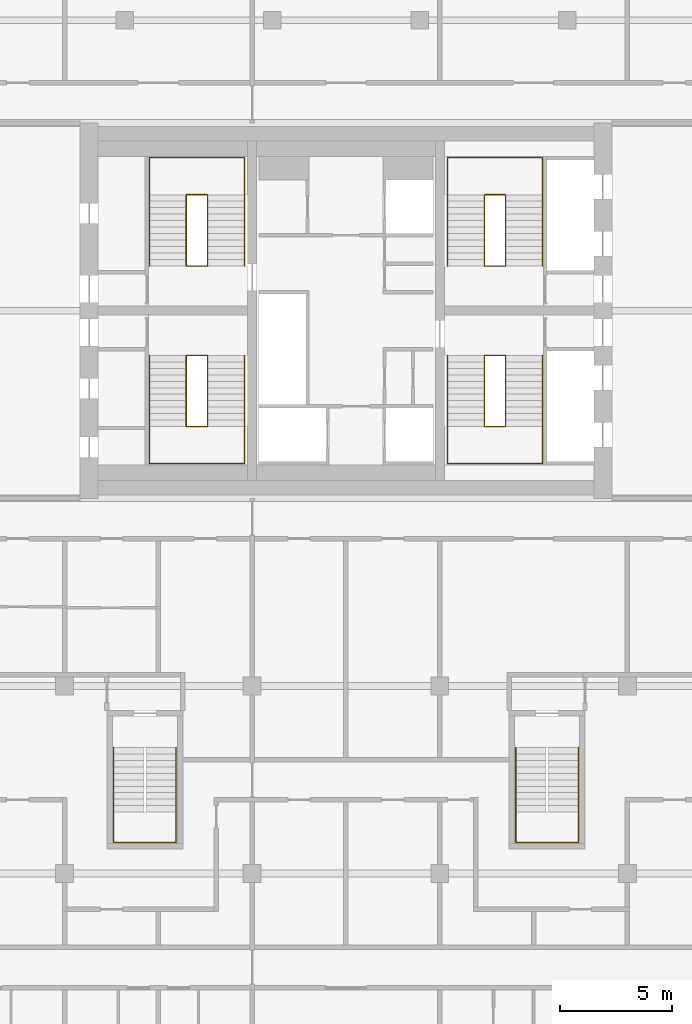
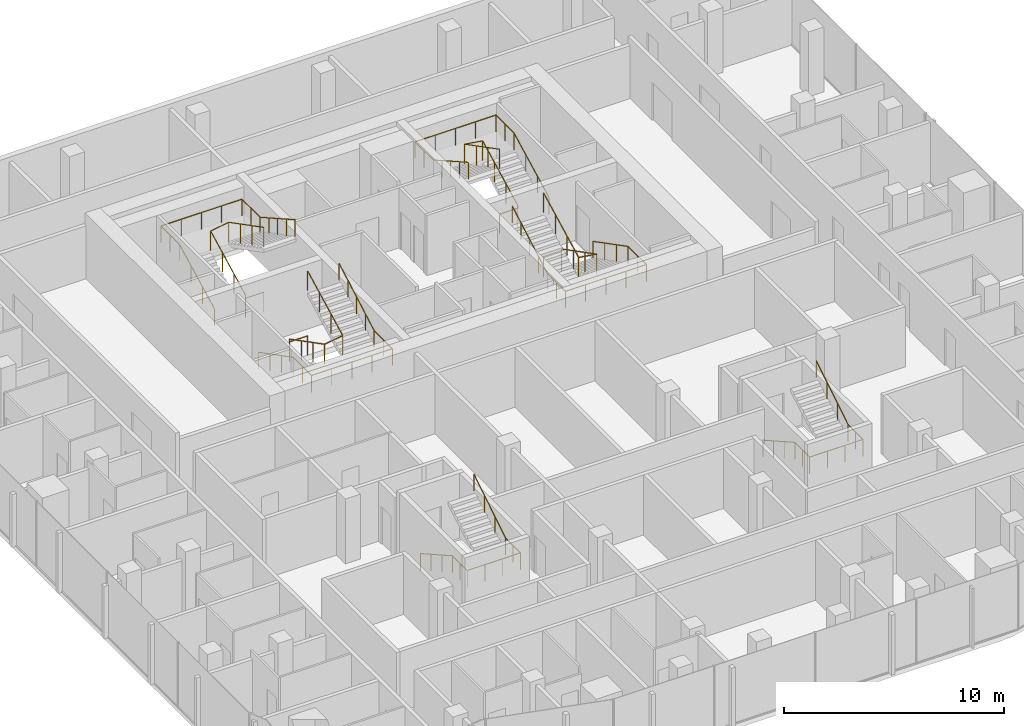
# One storey, part 22 of 22: 10 railings.
"""IFC4 building model written with IfcOpenShell, lengths in metres."""

from ifc_helpers import new_model, si_unit, direction, frame, origin, origin_2d, place, context, subcontext, project, spatial, circle, extrude, material, type_object, element, save


model = new_model("IFC4")

# Units and contexts
model_context = context("Model", 3, precision=1e-05, world=origin(), true_north=direction((0.0, 1.0)))
body_context = subcontext(model_context, "Body", "Model", "MODEL_VIEW")
ifc_project = project(units=[si_unit("LENGTHUNIT", "METRE"), si_unit("AREAUNIT", "SQUARE_METRE"), si_unit("VOLUMEUNIT", "CUBIC_METRE"), si_unit("PLANEANGLEUNIT", "RADIAN"), si_unit("MASSUNIT", "GRAM", prefix="KILO")], contexts=[model_context])

# Site, building, storey
site_placement = place(None, origin())
site = spatial("IfcSite", under=ifc_project, at=site_placement, CompositionType="ELEMENT")
building_placement = place(site_placement, origin())
building = spatial("IfcBuilding", under=site, at=building_placement, Name="Marenta Gate Hotel Tower", CompositionType="ELEMENT")
storey_placement = place(building_placement, frame((0.0, 0.0, 194.89990234375)))
storey = spatial("IfcBuildingStorey", under=building, at=storey_placement, Name="L44", CompositionType="ELEMENT", Elevation=194.89990234375)

# Railings
ifc_material_1 = material(Name="Stainless steel", Category="steel")
railing_type_1 = type_object("IfcRailingType", Name="Core stair handrail 950", PredefinedType="HANDRAIL", material=ifc_material_1)
railing_1_placement = place(storey_placement, frame((-8.800048828125, 6.39990234375, 0.150146484375)))
element("IfcRailing", 1, at=railing_1_placement, inside=storey, type_object=railing_type_1, Name="HR-950 L44-KR-ST1-1", PredefinedType="HANDRAIL", context=body_context, shape_type="SweptSolid", body=[
    extrude(circle(Radius=0.02392578125, at=origin_2d()), frame((0.0, 0.0, 0.92578125), z_axis=(0.0, -0.888225295554, 0.459408123936), x_axis=(1.0, 0.0, 0.0)), (0.0, 0.0, 1.0), 3.59130859375),
    extrude(circle(Radius=0.02392578125, at=origin_2d()), frame((0.0, -3.18994140625, 2.57568359375), z_axis=(0.0, -1.0, 0.0), x_axis=(1.0, 0.0, 0.0)), (0.0, 0.0, 1.0), 1.659912109375),
    extrude(circle(Radius=0.02392578125, at=origin_2d()), frame((0.0, -4.849853515625, 2.57568359375), z_axis=(1.0, 0.0, 0.0), x_axis=(0.0, 1.0, 0.0)), (0.0, 0.0, 1.0), 4.25),
    extrude(circle(Radius=0.02392578125, at=origin_2d()), frame((4.25, -4.849853515625, 2.57568359375), z_axis=(0.0, 1.0, 0.0), x_axis=(-1.0, 0.0, 0.0)), (0.0, 0.0, 1.0), 1.659912109375),
    extrude(circle(Radius=0.02392578125, at=origin_2d()), frame((4.25, -3.18994140625, 2.57568359375), z_axis=(0.0, 0.87090897868, 0.491444351738), x_axis=(-1.0, 0.0, 0.0)), (0.0, 0.0, 1.0), 3.662841796875),
    extrude(circle(Radius=0.02099609375, at=origin_2d()), origin(), (0.0, 0.0, 1.0), 0.90185546875),
    extrude(circle(Radius=0.02099609375, at=origin_2d()), frame((0.0, -1.063232421875, 0.550048828125)), (0.0, 0.0, 1.0), 0.90185546875),
    extrude(circle(Radius=0.02099609375, at=origin_2d()), frame((0.0, -2.126708984375, 1.099853515625)), (0.0, 0.0, 1.0), 0.90185546875),
    extrude(circle(Radius=0.02099609375, at=origin_2d()), frame((0.0, -3.18994140625, 1.64990234375)), (0.0, 0.0, 1.0), 0.90185546875),
    extrude(circle(Radius=0.02099609375, at=origin_2d()), frame((0.0, -4.02001953125, 1.64990234375)), (0.0, 0.0, 1.0), 0.90185546875),
    extrude(circle(Radius=0.02099609375, at=origin_2d()), frame((0.0, -4.849853515625, 1.64990234375)), (0.0, 0.0, 1.0), 0.90185546875),
    extrude(circle(Radius=0.02099609375, at=origin_2d()), frame((1.0625, -4.849853515625, 1.64990234375)), (0.0, 0.0, 1.0), 0.90185546875),
    extrude(circle(Radius=0.02099609375, at=origin_2d()), frame((2.125, -4.849853515625, 1.64990234375)), (0.0, 0.0, 1.0), 0.90185546875),
    extrude(circle(Radius=0.02099609375, at=origin_2d()), frame((3.1875, -4.849853515625, 1.64990234375)), (0.0, 0.0, 1.0), 0.90185546875),
    extrude(circle(Radius=0.02099609375, at=origin_2d()), frame((4.25, -4.849853515625, 1.64990234375)), (0.0, 0.0, 1.0), 0.90185546875),
    extrude(circle(Radius=0.02099609375, at=origin_2d()), frame((4.25, -4.02001953125, 1.64990234375)), (0.0, 0.0, 1.0), 0.90185546875),
    extrude(circle(Radius=0.02099609375, at=origin_2d()), frame((4.25, -3.18994140625, 1.64990234375)), (0.0, 0.0, 1.0), 0.90185546875),
    extrude(circle(Radius=0.02099609375, at=origin_2d()), frame((4.25, -2.392578125, 2.099853515625)), (0.0, 0.0, 1.0), 0.90185546875),
    extrude(circle(Radius=0.02099609375, at=origin_2d()), frame((4.25, -1.594970703125, 2.5498046875)), (0.0, 0.0, 1.0), 0.90185546875),
    extrude(circle(Radius=0.02099609375, at=origin_2d()), frame((4.25, -0.79736328125, 3.0)), (0.0, 0.0, 1.0), 0.90185546875),
    extrude(circle(Radius=0.02099609375, at=origin_2d()), frame((4.25, 0.0, 3.449951171875)), (0.0, 0.0, 1.0), 0.90185546875),
])
railing_2_placement = place(storey_placement, frame((-8.800048828125, 10.39990234375, 0.150146484375)))
element("IfcRailing", 2, at=railing_2_placement, inside=storey, type_object=railing_type_1, Name="HR-950 L44-KR-ST2-1", PredefinedType="HANDRAIL", context=body_context, shape_type="SweptSolid", body=[
    extrude(circle(Radius=0.02392578125, at=origin_2d()), frame((0.0, 0.0, 0.92578125), z_axis=(0.0, 0.888239641807, 0.459380385653), x_axis=(-1.0, 0.0, 0.0)), (0.0, 0.0, 1.0), 3.591552734375),
    extrude(circle(Radius=0.02392578125, at=origin_2d()), frame((0.0, 3.190185546875, 2.57568359375), z_axis=(0.0, 1.0, 0.0), x_axis=(-1.0, 0.0, 0.0)), (0.0, 0.0, 1.0), 1.659912109375),
    extrude(circle(Radius=0.02392578125, at=origin_2d()), frame((0.0, 4.85009765625, 2.57568359375), z_axis=(1.0, 0.0, 0.0), x_axis=(0.0, 1.0, 0.0)), (0.0, 0.0, 1.0), 4.25),
    extrude(circle(Radius=0.02392578125, at=origin_2d()), frame((4.25, 4.85009765625, 2.57568359375), z_axis=(0.0, -1.0, 0.0), x_axis=(1.0, 0.0, 0.0)), (0.0, 0.0, 1.0), 1.659912109375),
    extrude(circle(Radius=0.02392578125, at=origin_2d()), frame((4.25, 3.190185546875, 2.57568359375), z_axis=(0.0, -0.870925075533, 0.491415824742), x_axis=(1.0, 0.0, 0.0)), (0.0, 0.0, 1.0), 3.6630859375),
    extrude(circle(Radius=0.02099609375, at=origin_2d()), origin(), (0.0, 0.0, 1.0), 0.90185546875),
    extrude(circle(Radius=0.02099609375, at=origin_2d()), frame((0.0, 1.0634765625, 0.550048828125)), (0.0, 0.0, 1.0), 0.90185546875),
    extrude(circle(Radius=0.02099609375, at=origin_2d()), frame((0.0, 2.126708984375, 1.099853515625)), (0.0, 0.0, 1.0), 0.90185546875),
    extrude(circle(Radius=0.02099609375, at=origin_2d()), frame((0.0, 3.190185546875, 1.64990234375)), (0.0, 0.0, 1.0), 0.90185546875),
    extrude(circle(Radius=0.02099609375, at=origin_2d()), frame((0.0, 4.02001953125, 1.64990234375)), (0.0, 0.0, 1.0), 0.90185546875),
    extrude(circle(Radius=0.02099609375, at=origin_2d()), frame((0.0, 4.85009765625, 1.64990234375)), (0.0, 0.0, 1.0), 0.90185546875),
    extrude(circle(Radius=0.02099609375, at=origin_2d()), frame((1.0625, 4.85009765625, 1.64990234375)), (0.0, 0.0, 1.0), 0.90185546875),
    extrude(circle(Radius=0.02099609375, at=origin_2d()), frame((2.125, 4.85009765625, 1.64990234375)), (0.0, 0.0, 1.0), 0.90185546875),
    extrude(circle(Radius=0.02099609375, at=origin_2d()), frame((3.1875, 4.85009765625, 1.64990234375)), (0.0, 0.0, 1.0), 0.90185546875),
    extrude(circle(Radius=0.02099609375, at=origin_2d()), frame((4.25, 4.85009765625, 1.64990234375)), (0.0, 0.0, 1.0), 0.90185546875),
    extrude(circle(Radius=0.02099609375, at=origin_2d()), frame((4.25, 4.02001953125, 1.64990234375)), (0.0, 0.0, 1.0), 0.90185546875),
    extrude(circle(Radius=0.02099609375, at=origin_2d()), frame((4.25, 3.190185546875, 1.64990234375)), (0.0, 0.0, 1.0), 0.90185546875),
    extrude(circle(Radius=0.02099609375, at=origin_2d()), frame((4.25, 2.392578125, 2.099853515625)), (0.0, 0.0, 1.0), 0.90185546875),
    extrude(circle(Radius=0.02099609375, at=origin_2d()), frame((4.25, 1.59521484375, 2.5498046875)), (0.0, 0.0, 1.0), 0.90185546875),
    extrude(circle(Radius=0.02099609375, at=origin_2d()), frame((4.25, 0.797607421875, 3.0)), (0.0, 0.0, 1.0), 0.90185546875),
    extrude(circle(Radius=0.02099609375, at=origin_2d()), frame((4.25, 0.0, 3.449951171875)), (0.0, 0.0, 1.0), 0.90185546875),
])
railing_3_placement = place(storey_placement, frame((8.800048828125, 6.39990234375, 0.150146484375)))
element("IfcRailing", 3, at=railing_3_placement, inside=storey, type_object=railing_type_1, Name="HR-950 L44-KR-ST3-1", PredefinedType="HANDRAIL", context=body_context, shape_type="SweptSolid", body=[
    extrude(circle(Radius=0.02392578125, at=origin_2d()), frame((0.0, 0.0, 0.92578125), z_axis=(0.0, -0.888225295554, 0.459408123936), x_axis=(1.0, 0.0, 0.0)), (0.0, 0.0, 1.0), 3.59130859375),
    extrude(circle(Radius=0.02392578125, at=origin_2d()), frame((0.0, -3.18994140625, 2.57568359375), z_axis=(0.0, -1.0, 0.0), x_axis=(1.0, 0.0, 0.0)), (0.0, 0.0, 1.0), 1.659912109375),
    extrude(circle(Radius=0.02392578125, at=origin_2d()), frame((0.0, -4.849853515625, 2.57568359375), z_axis=(-1.0, 0.0, 0.0), x_axis=(0.0, -1.0, 0.0)), (0.0, 0.0, 1.0), 4.25),
    extrude(circle(Radius=0.02392578125, at=origin_2d()), frame((-4.25, -4.849853515625, 2.57568359375), z_axis=(0.0, 1.0, 0.0), x_axis=(-1.0, 0.0, 0.0)), (0.0, 0.0, 1.0), 1.659912109375),
    extrude(circle(Radius=0.02392578125, at=origin_2d()), frame((-4.25, -3.18994140625, 2.57568359375), z_axis=(0.0, 0.87090897868, 0.491444351738), x_axis=(-1.0, 0.0, 0.0)), (0.0, 0.0, 1.0), 3.662841796875),
    extrude(circle(Radius=0.02099609375, at=origin_2d()), origin(), (0.0, 0.0, 1.0), 0.90185546875),
    extrude(circle(Radius=0.02099609375, at=origin_2d()), frame((0.0, -1.063232421875, 0.550048828125)), (0.0, 0.0, 1.0), 0.90185546875),
    extrude(circle(Radius=0.02099609375, at=origin_2d()), frame((0.0, -2.126708984375, 1.099853515625)), (0.0, 0.0, 1.0), 0.90185546875),
    extrude(circle(Radius=0.02099609375, at=origin_2d()), frame((0.0, -3.18994140625, 1.64990234375)), (0.0, 0.0, 1.0), 0.90185546875),
    extrude(circle(Radius=0.02099609375, at=origin_2d()), frame((0.0, -4.02001953125, 1.64990234375)), (0.0, 0.0, 1.0), 0.90185546875),
    extrude(circle(Radius=0.02099609375, at=origin_2d()), frame((0.0, -4.849853515625, 1.64990234375)), (0.0, 0.0, 1.0), 0.90185546875),
    extrude(circle(Radius=0.02099609375, at=origin_2d()), frame((-1.0625, -4.849853515625, 1.64990234375)), (0.0, 0.0, 1.0), 0.90185546875),
    extrude(circle(Radius=0.02099609375, at=origin_2d()), frame((-2.125, -4.849853515625, 1.64990234375)), (0.0, 0.0, 1.0), 0.90185546875),
    extrude(circle(Radius=0.02099609375, at=origin_2d()), frame((-3.1875, -4.849853515625, 1.64990234375)), (0.0, 0.0, 1.0), 0.90185546875),
    extrude(circle(Radius=0.02099609375, at=origin_2d()), frame((-4.25, -4.849853515625, 1.64990234375)), (0.0, 0.0, 1.0), 0.90185546875),
    extrude(circle(Radius=0.02099609375, at=origin_2d()), frame((-4.25, -4.02001953125, 1.64990234375)), (0.0, 0.0, 1.0), 0.90185546875),
    extrude(circle(Radius=0.02099609375, at=origin_2d()), frame((-4.25, -3.18994140625, 1.64990234375)), (0.0, 0.0, 1.0), 0.90185546875),
    extrude(circle(Radius=0.02099609375, at=origin_2d()), frame((-4.25, -2.392578125, 2.099853515625)), (0.0, 0.0, 1.0), 0.90185546875),
    extrude(circle(Radius=0.02099609375, at=origin_2d()), frame((-4.25, -1.594970703125, 2.5498046875)), (0.0, 0.0, 1.0), 0.90185546875),
    extrude(circle(Radius=0.02099609375, at=origin_2d()), frame((-4.25, -0.79736328125, 3.0)), (0.0, 0.0, 1.0), 0.90185546875),
    extrude(circle(Radius=0.02099609375, at=origin_2d()), frame((-4.25, 0.0, 3.449951171875)), (0.0, 0.0, 1.0), 0.90185546875),
])
railing_4_placement = place(storey_placement, frame((8.800048828125, 10.39990234375, 0.150146484375)))
element("IfcRailing", 4, at=railing_4_placement, inside=storey, type_object=railing_type_1, Name="HR-950 L44-KR-ST4-1", PredefinedType="HANDRAIL", context=body_context, shape_type="SweptSolid", body=[
    extrude(circle(Radius=0.02392578125, at=origin_2d()), frame((0.0, 0.0, 0.92578125), z_axis=(0.0, 0.888239641807, 0.459380385653), x_axis=(-1.0, 0.0, 0.0)), (0.0, 0.0, 1.0), 3.591552734375),
    extrude(circle(Radius=0.02392578125, at=origin_2d()), frame((0.0, 3.190185546875, 2.57568359375), z_axis=(0.0, 1.0, 0.0), x_axis=(-1.0, 0.0, 0.0)), (0.0, 0.0, 1.0), 1.659912109375),
    extrude(circle(Radius=0.02392578125, at=origin_2d()), frame((0.0, 4.85009765625, 2.57568359375), z_axis=(-1.0, 0.0, 0.0), x_axis=(0.0, -1.0, 0.0)), (0.0, 0.0, 1.0), 4.25),
    extrude(circle(Radius=0.02392578125, at=origin_2d()), frame((-4.25, 4.85009765625, 2.57568359375), z_axis=(0.0, -1.0, 0.0), x_axis=(1.0, 0.0, 0.0)), (0.0, 0.0, 1.0), 1.659912109375),
    extrude(circle(Radius=0.02392578125, at=origin_2d()), frame((-4.25, 3.190185546875, 2.57568359375), z_axis=(0.0, -0.870925075533, 0.491415824742), x_axis=(1.0, 0.0, 0.0)), (0.0, 0.0, 1.0), 3.6630859375),
    extrude(circle(Radius=0.02099609375, at=origin_2d()), origin(), (0.0, 0.0, 1.0), 0.90185546875),
    extrude(circle(Radius=0.02099609375, at=origin_2d()), frame((0.0, 1.0634765625, 0.550048828125)), (0.0, 0.0, 1.0), 0.90185546875),
    extrude(circle(Radius=0.02099609375, at=origin_2d()), frame((0.0, 2.126708984375, 1.099853515625)), (0.0, 0.0, 1.0), 0.90185546875),
    extrude(circle(Radius=0.02099609375, at=origin_2d()), frame((0.0, 3.190185546875, 1.64990234375)), (0.0, 0.0, 1.0), 0.90185546875),
    extrude(circle(Radius=0.02099609375, at=origin_2d()), frame((0.0, 4.02001953125, 1.64990234375)), (0.0, 0.0, 1.0), 0.90185546875),
    extrude(circle(Radius=0.02099609375, at=origin_2d()), frame((0.0, 4.85009765625, 1.64990234375)), (0.0, 0.0, 1.0), 0.90185546875),
    extrude(circle(Radius=0.02099609375, at=origin_2d()), frame((-1.0625, 4.85009765625, 1.64990234375)), (0.0, 0.0, 1.0), 0.90185546875),
    extrude(circle(Radius=0.02099609375, at=origin_2d()), frame((-2.125, 4.85009765625, 1.64990234375)), (0.0, 0.0, 1.0), 0.90185546875),
    extrude(circle(Radius=0.02099609375, at=origin_2d()), frame((-3.1875, 4.85009765625, 1.64990234375)), (0.0, 0.0, 1.0), 0.90185546875),
    extrude(circle(Radius=0.02099609375, at=origin_2d()), frame((-4.25, 4.85009765625, 1.64990234375)), (0.0, 0.0, 1.0), 0.90185546875),
    extrude(circle(Radius=0.02099609375, at=origin_2d()), frame((-4.25, 4.02001953125, 1.64990234375)), (0.0, 0.0, 1.0), 0.90185546875),
    extrude(circle(Radius=0.02099609375, at=origin_2d()), frame((-4.25, 3.190185546875, 1.64990234375)), (0.0, 0.0, 1.0), 0.90185546875),
    extrude(circle(Radius=0.02099609375, at=origin_2d()), frame((-4.25, 2.392578125, 2.099853515625)), (0.0, 0.0, 1.0), 0.90185546875),
    extrude(circle(Radius=0.02099609375, at=origin_2d()), frame((-4.25, 1.59521484375, 2.5498046875)), (0.0, 0.0, 1.0), 0.90185546875),
    extrude(circle(Radius=0.02099609375, at=origin_2d()), frame((-4.25, 0.797607421875, 3.0)), (0.0, 0.0, 1.0), 0.90185546875),
    extrude(circle(Radius=0.02099609375, at=origin_2d()), frame((-4.25, 0.0, 3.449951171875)), (0.0, 0.0, 1.0), 0.90185546875),
])
railing_5_placement = place(storey_placement, frame((-10.39990234375, -11.14990234375, 0.163818359375)))
element("IfcRailing", 5, at=railing_5_placement, inside=storey, type_object=railing_type_1, Name="HR-950 L44-RS-Z3-1-KR-1", PredefinedType="HANDRAIL", context=body_context, shape_type="SweptSolid", body=[
    extrude(circle(Radius=0.02392578125, at=origin_2d()), frame((0.0, 0.0, 0.92578125), z_axis=(0.0, -0.870946286338, 0.49137823142), x_axis=(1.0, 0.0, 0.0)), (0.0, 0.0, 1.0), 3.329833984375),
    extrude(circle(Radius=0.02392578125, at=origin_2d()), frame((0.0, -2.900146484375, 2.56201171875), z_axis=(0.0, -1.0, 0.0), x_axis=(1.0, 0.0, 0.0)), (0.0, 0.0, 1.0), 1.349853515625),
    extrude(circle(Radius=0.02392578125, at=origin_2d()), frame((0.0, -4.25, 2.56201171875), z_axis=(1.0, 0.0, 0.0), x_axis=(0.0, 1.0, 0.0)), (0.0, 0.0, 1.0), 2.7998046875),
    extrude(circle(Radius=0.02392578125, at=origin_2d()), frame((2.7998046875, -4.25, 2.56201171875), z_axis=(0.0, 1.0, 0.0), x_axis=(-1.0, 0.0, 0.0)), (0.0, 0.0, 1.0), 1.349853515625),
    extrude(circle(Radius=0.02392578125, at=origin_2d()), frame((2.7998046875, -2.900146484375, 2.56201171875), z_axis=(0.0, 0.849645691689, 0.527353959494), x_axis=(-1.0, 0.0, 0.0)), (0.0, 0.0, 1.0), 3.413330078125),
    extrude(circle(Radius=0.02099609375, at=origin_2d()), origin(), (0.0, 0.0, 1.0), 0.90185546875),
    extrude(circle(Radius=0.02099609375, at=origin_2d()), frame((0.0, -0.966796875, 0.54541015625)), (0.0, 0.0, 1.0), 0.90185546875),
    extrude(circle(Radius=0.02099609375, at=origin_2d()), frame((0.0, -1.933349609375, 1.0908203125)), (0.0, 0.0, 1.0), 0.90185546875),
    extrude(circle(Radius=0.02099609375, at=origin_2d()), frame((0.0, -2.900146484375, 1.63623046875)), (0.0, 0.0, 1.0), 0.90185546875),
    extrude(circle(Radius=0.02099609375, at=origin_2d()), frame((0.0, -3.5751953125, 1.63623046875)), (0.0, 0.0, 1.0), 0.90185546875),
    extrude(circle(Radius=0.02099609375, at=origin_2d()), frame((0.0, -4.25, 1.63623046875)), (0.0, 0.0, 1.0), 0.90185546875),
    extrude(circle(Radius=0.02099609375, at=origin_2d()), frame((0.933349609375, -4.25, 1.63623046875)), (0.0, 0.0, 1.0), 0.90185546875),
    extrude(circle(Radius=0.02099609375, at=origin_2d()), frame((1.866455078125, -4.25, 1.63623046875)), (0.0, 0.0, 1.0), 0.90185546875),
    extrude(circle(Radius=0.02099609375, at=origin_2d()), frame((2.7998046875, -4.25, 1.63623046875)), (0.0, 0.0, 1.0), 0.90185546875),
    extrude(circle(Radius=0.02099609375, at=origin_2d()), frame((2.7998046875, -3.5751953125, 1.63623046875)), (0.0, 0.0, 1.0), 0.90185546875),
    extrude(circle(Radius=0.02099609375, at=origin_2d()), frame((2.7998046875, -2.900146484375, 1.63623046875)), (0.0, 0.0, 1.0), 0.90185546875),
    extrude(circle(Radius=0.02099609375, at=origin_2d()), frame((2.7998046875, -1.933349609375, 2.236328125)), (0.0, 0.0, 1.0), 0.90185546875),
    extrude(circle(Radius=0.02099609375, at=origin_2d()), frame((2.7998046875, -0.966796875, 2.836181640625)), (0.0, 0.0, 1.0), 0.90185546875),
    extrude(circle(Radius=0.02099609375, at=origin_2d()), frame((2.7998046875, 0.0, 3.436279296875)), (0.0, 0.0, 1.0), 0.90185546875),
])
railing_6_placement = place(storey_placement, frame((7.60009765625, -11.14990234375, 0.163818359375)))
element("IfcRailing", 6, at=railing_6_placement, inside=storey, type_object=railing_type_1, Name="HR-950 L44-RS-Z3-2-KR-1", PredefinedType="HANDRAIL", context=body_context, shape_type="SweptSolid", body=[
    extrude(circle(Radius=0.02392578125, at=origin_2d()), frame((0.0, 0.0, 0.92578125), z_axis=(0.0, -0.870946286338, 0.49137823142), x_axis=(1.0, 0.0, 0.0)), (0.0, 0.0, 1.0), 3.329833984375),
    extrude(circle(Radius=0.02392578125, at=origin_2d()), frame((0.0, -2.900146484375, 2.56201171875), z_axis=(0.0, -1.0, 0.0), x_axis=(1.0, 0.0, 0.0)), (0.0, 0.0, 1.0), 1.349853515625),
    extrude(circle(Radius=0.02392578125, at=origin_2d()), frame((0.0, -4.25, 2.56201171875), z_axis=(1.0, 0.0, 0.0), x_axis=(0.0, 1.0, 0.0)), (0.0, 0.0, 1.0), 2.7998046875),
    extrude(circle(Radius=0.02392578125, at=origin_2d()), frame((2.7998046875, -4.25, 2.56201171875), z_axis=(0.0, 1.0, 0.0), x_axis=(-1.0, 0.0, 0.0)), (0.0, 0.0, 1.0), 1.349853515625),
    extrude(circle(Radius=0.02392578125, at=origin_2d()), frame((2.7998046875, -2.900146484375, 2.56201171875), z_axis=(0.0, 0.849645691689, 0.527353959494), x_axis=(-1.0, 0.0, 0.0)), (0.0, 0.0, 1.0), 3.413330078125),
    extrude(circle(Radius=0.02099609375, at=origin_2d()), origin(), (0.0, 0.0, 1.0), 0.90185546875),
    extrude(circle(Radius=0.02099609375, at=origin_2d()), frame((0.0, -0.966796875, 0.54541015625)), (0.0, 0.0, 1.0), 0.90185546875),
    extrude(circle(Radius=0.02099609375, at=origin_2d()), frame((0.0, -1.933349609375, 1.0908203125)), (0.0, 0.0, 1.0), 0.90185546875),
    extrude(circle(Radius=0.02099609375, at=origin_2d()), frame((0.0, -2.900146484375, 1.63623046875)), (0.0, 0.0, 1.0), 0.90185546875),
    extrude(circle(Radius=0.02099609375, at=origin_2d()), frame((0.0, -3.5751953125, 1.63623046875)), (0.0, 0.0, 1.0), 0.90185546875),
    extrude(circle(Radius=0.02099609375, at=origin_2d()), frame((0.0, -4.25, 1.63623046875)), (0.0, 0.0, 1.0), 0.90185546875),
    extrude(circle(Radius=0.02099609375, at=origin_2d()), frame((0.933349609375, -4.25, 1.63623046875)), (0.0, 0.0, 1.0), 0.90185546875),
    extrude(circle(Radius=0.02099609375, at=origin_2d()), frame((1.866455078125, -4.25, 1.63623046875)), (0.0, 0.0, 1.0), 0.90185546875),
    extrude(circle(Radius=0.02099609375, at=origin_2d()), frame((2.7998046875, -4.25, 1.63623046875)), (0.0, 0.0, 1.0), 0.90185546875),
    extrude(circle(Radius=0.02099609375, at=origin_2d()), frame((2.7998046875, -3.5751953125, 1.63623046875)), (0.0, 0.0, 1.0), 0.90185546875),
    extrude(circle(Radius=0.02099609375, at=origin_2d()), frame((2.7998046875, -2.900146484375, 1.63623046875)), (0.0, 0.0, 1.0), 0.90185546875),
    extrude(circle(Radius=0.02099609375, at=origin_2d()), frame((2.7998046875, -1.933349609375, 2.236328125)), (0.0, 0.0, 1.0), 0.90185546875),
    extrude(circle(Radius=0.02099609375, at=origin_2d()), frame((2.7998046875, -0.966796875, 2.836181640625)), (0.0, 0.0, 1.0), 0.90185546875),
    extrude(circle(Radius=0.02099609375, at=origin_2d()), frame((2.7998046875, 0.0, 3.436279296875)), (0.0, 0.0, 1.0), 0.90185546875),
])
ifc_material_2 = material(Name="Stainless steel", Category="steel")
railing_type_2 = type_object("IfcRailingType", Name="Core stair well guard 1100", PredefinedType="GUARDRAIL", material=ifc_material_2)
railing_7_placement = place(storey_placement, frame((-6.199951171875, 6.39990234375, 0.0)))
element("IfcRailing", 7, at=railing_7_placement, inside=storey, type_object=railing_type_2, Name="GR-1100 L44-KR-ST1-2", PredefinedType="GUARDRAIL", context=body_context, shape_type="SweptSolid", body=[
    extrude(circle(Radius=0.02392578125, at=origin_2d()), frame((0.0, 0.0, 1.076171875), z_axis=(-1.0, 0.0, 0.0), x_axis=(0.0, -1.0, 0.0)), (0.0, 0.0, 1.0), 0.949951171875),
    extrude(circle(Radius=0.02392578125, at=origin_2d()), frame((-0.949951171875, 0.0, 1.076171875), z_axis=(0.0, 0.0, 1.0), x_axis=(1.0, 0.0, 0.0)), (0.0, 0.0, 1.0), 0.150146484375),
    extrude(circle(Radius=0.02392578125, at=origin_2d()), frame((-0.949951171875, 0.0, 1.22607421875), z_axis=(0.0, -0.888225295554, 0.459408123936), x_axis=(1.0, 0.0, 0.0)), (0.0, 0.0, 1.0), 3.59130859375),
    extrude(circle(Radius=0.02392578125, at=origin_2d()), frame((-0.949951171875, -3.18994140625, 2.8759765625), z_axis=(0.987738253826, 0.0, 0.156118999255), x_axis=(0.0, 1.0, 0.0)), (0.0, 0.0, 1.0), 0.961669921875),
    extrude(circle(Radius=0.02392578125, at=origin_2d()), frame((0.0, -3.18994140625, 3.0263671875), z_axis=(0.0, 0.888225295554, 0.459408123936), x_axis=(-1.0, 0.0, 0.0)), (0.0, 0.0, 1.0), 3.59130859375),
    extrude(circle(Radius=0.02099609375, at=origin_2d()), origin(), (0.0, 0.0, 1.0), 1.052001953125),
    extrude(circle(Radius=0.02099609375, at=origin_2d()), frame((-0.949951171875, 0.0, 0.0)), (0.0, 0.0, 1.0), 1.052001953125),
    extrude(circle(Radius=0.02099609375, at=origin_2d()), frame((-0.949951171875, 0.0, 0.150146484375)), (0.0, 0.0, 1.0), 1.052001953125),
    extrude(circle(Radius=0.02099609375, at=origin_2d()), frame((-0.949951171875, -1.063232421875, 0.7001953125)), (0.0, 0.0, 1.0), 1.052001953125),
    extrude(circle(Radius=0.02099609375, at=origin_2d()), frame((-0.949951171875, -2.126708984375, 1.25)), (0.0, 0.0, 1.0), 1.052001953125),
    extrude(circle(Radius=0.02099609375, at=origin_2d()), frame((-0.949951171875, -3.18994140625, 1.800048828125)), (0.0, 0.0, 1.0), 1.052001953125),
    extrude(circle(Radius=0.02099609375, at=origin_2d()), frame((0.0, -3.18994140625, 1.9501953125)), (0.0, 0.0, 1.0), 1.052001953125),
    extrude(circle(Radius=0.02099609375, at=origin_2d()), frame((0.0, -2.126708984375, 2.500244140625)), (0.0, 0.0, 1.0), 1.052001953125),
    extrude(circle(Radius=0.02099609375, at=origin_2d()), frame((0.0, -1.063232421875, 3.050048828125)), (0.0, 0.0, 1.0), 1.052001953125),
    extrude(circle(Radius=0.02099609375, at=origin_2d()), frame((0.0, 0.0, 3.60009765625)), (0.0, 0.0, 1.0), 1.052001953125),
])
railing_8_placement = place(storey_placement, frame((-6.199951171875, 10.39990234375, 0.0)))
element("IfcRailing", 8, at=railing_8_placement, inside=storey, type_object=railing_type_2, Name="GR-1100 L44-KR-ST2-2", PredefinedType="GUARDRAIL", context=body_context, shape_type="SweptSolid", body=[
    extrude(circle(Radius=0.02392578125, at=origin_2d()), frame((0.0, 0.0, 1.076171875), z_axis=(-1.0, 0.0, 0.0), x_axis=(0.0, -1.0, 0.0)), (0.0, 0.0, 1.0), 0.949951171875),
    extrude(circle(Radius=0.02392578125, at=origin_2d()), frame((-0.949951171875, 0.0, 1.076171875), z_axis=(0.0, 0.0, 1.0), x_axis=(1.0, 0.0, 0.0)), (0.0, 0.0, 1.0), 0.150146484375),
    extrude(circle(Radius=0.02392578125, at=origin_2d()), frame((-0.949951171875, 0.0, 1.22607421875), z_axis=(0.0, 0.888239641807, 0.459380385653), x_axis=(-1.0, 0.0, 0.0)), (0.0, 0.0, 1.0), 3.591552734375),
    extrude(circle(Radius=0.02392578125, at=origin_2d()), frame((-0.949951171875, 3.190185546875, 2.8759765625), z_axis=(0.987738253826, 0.0, 0.156118999255), x_axis=(0.0, 1.0, 0.0)), (0.0, 0.0, 1.0), 0.961669921875),
    extrude(circle(Radius=0.02392578125, at=origin_2d()), frame((0.0, 3.190185546875, 3.0263671875), z_axis=(0.0, -0.888239641807, 0.459380385653), x_axis=(1.0, 0.0, 0.0)), (0.0, 0.0, 1.0), 3.591552734375),
    extrude(circle(Radius=0.02099609375, at=origin_2d()), origin(), (0.0, 0.0, 1.0), 1.052001953125),
    extrude(circle(Radius=0.02099609375, at=origin_2d()), frame((-0.949951171875, 0.0, 0.0)), (0.0, 0.0, 1.0), 1.052001953125),
    extrude(circle(Radius=0.02099609375, at=origin_2d()), frame((-0.949951171875, 0.0, 0.150146484375)), (0.0, 0.0, 1.0), 1.052001953125),
    extrude(circle(Radius=0.02099609375, at=origin_2d()), frame((-0.949951171875, 1.0634765625, 0.7001953125)), (0.0, 0.0, 1.0), 1.052001953125),
    extrude(circle(Radius=0.02099609375, at=origin_2d()), frame((-0.949951171875, 2.126708984375, 1.25)), (0.0, 0.0, 1.0), 1.052001953125),
    extrude(circle(Radius=0.02099609375, at=origin_2d()), frame((-0.949951171875, 3.190185546875, 1.800048828125)), (0.0, 0.0, 1.0), 1.052001953125),
    extrude(circle(Radius=0.02099609375, at=origin_2d()), frame((0.0, 3.190185546875, 1.9501953125)), (0.0, 0.0, 1.0), 1.052001953125),
    extrude(circle(Radius=0.02099609375, at=origin_2d()), frame((0.0, 2.126708984375, 2.500244140625)), (0.0, 0.0, 1.0), 1.052001953125),
    extrude(circle(Radius=0.02099609375, at=origin_2d()), frame((0.0, 1.0634765625, 3.050048828125)), (0.0, 0.0, 1.0), 1.052001953125),
    extrude(circle(Radius=0.02099609375, at=origin_2d()), frame((0.0, 0.0, 3.60009765625)), (0.0, 0.0, 1.0), 1.052001953125),
])
railing_9_placement = place(storey_placement, frame((6.199951171875, 6.39990234375, 0.0)))
element("IfcRailing", 9, at=railing_9_placement, inside=storey, type_object=railing_type_2, Name="GR-1100 L44-KR-ST3-2", PredefinedType="GUARDRAIL", context=body_context, shape_type="SweptSolid", body=[
    extrude(circle(Radius=0.02392578125, at=origin_2d()), frame((0.0, 0.0, 1.076171875), z_axis=(1.0, 0.0, 0.0), x_axis=(0.0, 1.0, 0.0)), (0.0, 0.0, 1.0), 0.949951171875),
    extrude(circle(Radius=0.02392578125, at=origin_2d()), frame((0.949951171875, 0.0, 1.076171875), z_axis=(0.0, 0.0, 1.0), x_axis=(1.0, 0.0, 0.0)), (0.0, 0.0, 1.0), 0.150146484375),
    extrude(circle(Radius=0.02392578125, at=origin_2d()), frame((0.949951171875, 0.0, 1.22607421875), z_axis=(0.0, -0.888225295554, 0.459408123936), x_axis=(1.0, 0.0, 0.0)), (0.0, 0.0, 1.0), 3.59130859375),
    extrude(circle(Radius=0.02392578125, at=origin_2d()), frame((0.949951171875, -3.18994140625, 2.8759765625), z_axis=(-0.987738253826, 0.0, 0.156118999255), x_axis=(0.0, -1.0, 0.0)), (0.0, 0.0, 1.0), 0.961669921875),
    extrude(circle(Radius=0.02392578125, at=origin_2d()), frame((0.0, -3.18994140625, 3.0263671875), z_axis=(0.0, 0.888225295554, 0.459408123936), x_axis=(-1.0, 0.0, 0.0)), (0.0, 0.0, 1.0), 3.59130859375),
    extrude(circle(Radius=0.02099609375, at=origin_2d()), origin(), (0.0, 0.0, 1.0), 1.052001953125),
    extrude(circle(Radius=0.02099609375, at=origin_2d()), frame((0.949951171875, 0.0, 0.0)), (0.0, 0.0, 1.0), 1.052001953125),
    extrude(circle(Radius=0.02099609375, at=origin_2d()), frame((0.949951171875, 0.0, 0.150146484375)), (0.0, 0.0, 1.0), 1.052001953125),
    extrude(circle(Radius=0.02099609375, at=origin_2d()), frame((0.949951171875, -1.063232421875, 0.7001953125)), (0.0, 0.0, 1.0), 1.052001953125),
    extrude(circle(Radius=0.02099609375, at=origin_2d()), frame((0.949951171875, -2.126708984375, 1.25)), (0.0, 0.0, 1.0), 1.052001953125),
    extrude(circle(Radius=0.02099609375, at=origin_2d()), frame((0.949951171875, -3.18994140625, 1.800048828125)), (0.0, 0.0, 1.0), 1.052001953125),
    extrude(circle(Radius=0.02099609375, at=origin_2d()), frame((0.0, -3.18994140625, 1.9501953125)), (0.0, 0.0, 1.0), 1.052001953125),
    extrude(circle(Radius=0.02099609375, at=origin_2d()), frame((0.0, -2.126708984375, 2.500244140625)), (0.0, 0.0, 1.0), 1.052001953125),
    extrude(circle(Radius=0.02099609375, at=origin_2d()), frame((0.0, -1.063232421875, 3.050048828125)), (0.0, 0.0, 1.0), 1.052001953125),
    extrude(circle(Radius=0.02099609375, at=origin_2d()), frame((0.0, 0.0, 3.60009765625)), (0.0, 0.0, 1.0), 1.052001953125),
])
railing_10_placement = place(storey_placement, frame((6.199951171875, 10.39990234375, 0.0)))
element("IfcRailing", 10, at=railing_10_placement, inside=storey, type_object=railing_type_2, Name="GR-1100 L44-KR-ST4-2", PredefinedType="GUARDRAIL", context=body_context, shape_type="SweptSolid", body=[
    extrude(circle(Radius=0.02392578125, at=origin_2d()), frame((0.0, 0.0, 1.076171875), z_axis=(1.0, 0.0, 0.0), x_axis=(0.0, 1.0, 0.0)), (0.0, 0.0, 1.0), 0.949951171875),
    extrude(circle(Radius=0.02392578125, at=origin_2d()), frame((0.949951171875, 0.0, 1.076171875), z_axis=(0.0, 0.0, 1.0), x_axis=(1.0, 0.0, 0.0)), (0.0, 0.0, 1.0), 0.150146484375),
    extrude(circle(Radius=0.02392578125, at=origin_2d()), frame((0.949951171875, 0.0, 1.22607421875), z_axis=(0.0, 0.888239641807, 0.459380385653), x_axis=(-1.0, 0.0, 0.0)), (0.0, 0.0, 1.0), 3.591552734375),
    extrude(circle(Radius=0.02392578125, at=origin_2d()), frame((0.949951171875, 3.190185546875, 2.8759765625), z_axis=(-0.987738253826, 0.0, 0.156118999255), x_axis=(0.0, -1.0, 0.0)), (0.0, 0.0, 1.0), 0.961669921875),
    extrude(circle(Radius=0.02392578125, at=origin_2d()), frame((0.0, 3.190185546875, 3.0263671875), z_axis=(0.0, -0.888239641807, 0.459380385653), x_axis=(1.0, 0.0, 0.0)), (0.0, 0.0, 1.0), 3.591552734375),
    extrude(circle(Radius=0.02099609375, at=origin_2d()), origin(), (0.0, 0.0, 1.0), 1.052001953125),
    extrude(circle(Radius=0.02099609375, at=origin_2d()), frame((0.949951171875, 0.0, 0.0)), (0.0, 0.0, 1.0), 1.052001953125),
    extrude(circle(Radius=0.02099609375, at=origin_2d()), frame((0.949951171875, 0.0, 0.150146484375)), (0.0, 0.0, 1.0), 1.052001953125),
    extrude(circle(Radius=0.02099609375, at=origin_2d()), frame((0.949951171875, 1.0634765625, 0.7001953125)), (0.0, 0.0, 1.0), 1.052001953125),
    extrude(circle(Radius=0.02099609375, at=origin_2d()), frame((0.949951171875, 2.126708984375, 1.25)), (0.0, 0.0, 1.0), 1.052001953125),
    extrude(circle(Radius=0.02099609375, at=origin_2d()), frame((0.949951171875, 3.190185546875, 1.800048828125)), (0.0, 0.0, 1.0), 1.052001953125),
    extrude(circle(Radius=0.02099609375, at=origin_2d()), frame((0.0, 3.190185546875, 1.9501953125)), (0.0, 0.0, 1.0), 1.052001953125),
    extrude(circle(Radius=0.02099609375, at=origin_2d()), frame((0.0, 2.126708984375, 2.500244140625)), (0.0, 0.0, 1.0), 1.052001953125),
    extrude(circle(Radius=0.02099609375, at=origin_2d()), frame((0.0, 1.0634765625, 3.050048828125)), (0.0, 0.0, 1.0), 1.052001953125),
    extrude(circle(Radius=0.02099609375, at=origin_2d()), frame((0.0, 0.0, 3.60009765625)), (0.0, 0.0, 1.0), 1.052001953125),
])

save(model, "model.ifc")
